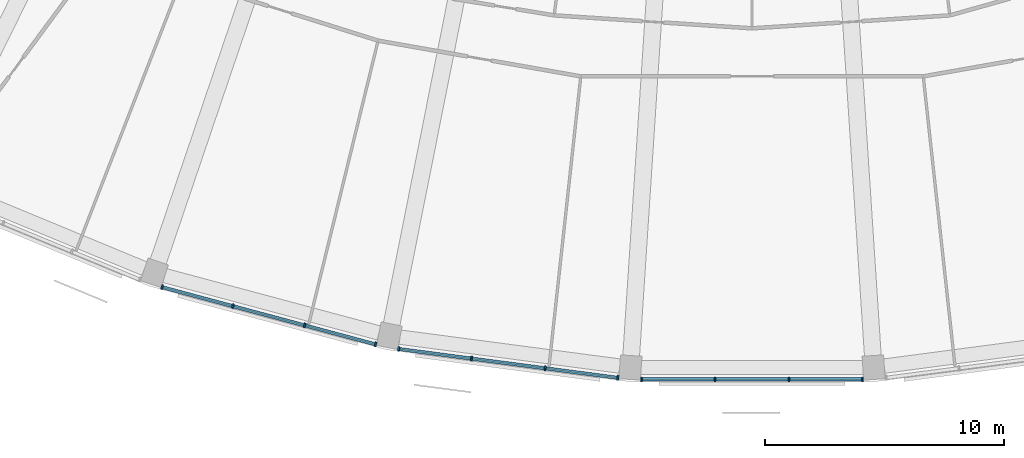
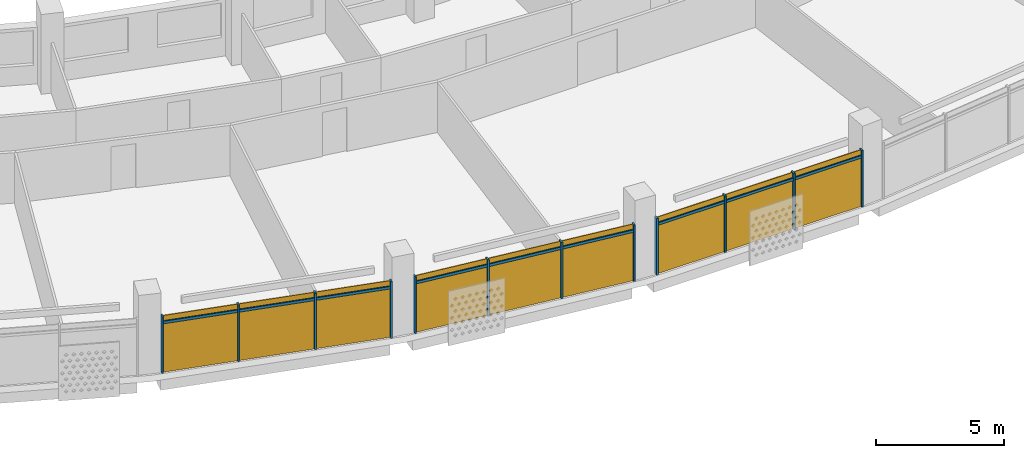
# One storey, part 19 of 29: 21 members, 3 curtain walls.
"""IFC4 building model written with IfcOpenShell, lengths in metres."""

import ifcopenshell
import ifcopenshell.guid

model = None  # the IFC model being written
_history = None  # IfcOwnerHistory: only IFC2X3 demands one
_inside = {}  # id of a spatial element -> (the spatial element, [elements in it])
_under = {}  # id of a project, library or spatial element -> (it, [spatial elements below it])
_declared = {}  # id of a project -> (the project, [libraries it declares])
_typed = {}  # id of a type object -> (the type object, [elements of that type])
_made_of = {}  # id of a material, layer set ... -> (it, [elements and type objects made of it])


def new_model(schema):
    """Start an empty IFC model of exactly this schema.

    Asked for "IFC4X3", IfcOpenShell would pick the latest addendum, in which some entities
    have other attributes; the version numbers below select the first issue.
    IFC2X3 requires an IfcOwnerHistory on every rooted entity: one is made here for all.
    """
    global model, _history
    if schema == "IFC4X3":
        model = ifcopenshell.file(schema_version=(4, 3, 0, 0))
    else:
        model = ifcopenshell.file(schema=schema)
    _inside.clear()
    _under.clear()
    _declared.clear()
    _typed.clear()
    _made_of.clear()
    _history = None
    if model.schema == "IFC2X3":
        org = make("IfcOrganization", Name="unknown")
        user = make(
            "IfcPersonAndOrganization",
            ThePerson=make("IfcPerson", FamilyName="unknown"),
            TheOrganization=org,
        )
        app = make(
            "IfcApplication",
            ApplicationDeveloper=org,
            Version="unknown",
            ApplicationFullName="unknown",
            ApplicationIdentifier="unknown",
        )
        _history = make(
            "IfcOwnerHistory",
            OwningUser=user,
            OwningApplication=app,
            ChangeAction="ADDED",
            CreationDate=0,
        )
    return model


def make(cls, **values):
    """One entity of the class cls with the attributes given. An attribute that is None is left unset."""
    return model.create_entity(
        cls, **{name: value for name, value in values.items() if value is not None}
    )


def rooted(cls, **values):
    """An entity with a GlobalId (a new one), such as an element, a storey or a relation."""
    return make(cls, GlobalId=ifcopenshell.guid.new(), OwnerHistory=_history, **values)


def si_unit(unit_type, name, prefix=None):
    """IfcSIUnit, for example si_unit("LENGTHUNIT", "METRE", prefix="MILLI")."""
    return make("IfcSIUnit", UnitType=unit_type, Prefix=prefix, Name=name)


def assignment(units):
    """IfcUnitAssignment: the units of a project."""
    return None if units is None else make("IfcUnitAssignment", Units=units)


def point(xyz):
    """IfcCartesianPoint."""
    return None if xyz is None else make("IfcCartesianPoint", Coordinates=xyz)


def direction(xyz):
    """IfcDirection."""
    return None if xyz is None else make("IfcDirection", DirectionRatios=xyz)


def frame(location, z_axis=None, x_axis=None):
    """IfcAxis2Placement3D, a coordinate frame: its origin and axes. An axis left out is left unset."""
    return make(
        "IfcAxis2Placement3D",
        Location=point(location),
        Axis=direction(z_axis),
        RefDirection=direction(x_axis),
    )


def frame_2d(location, x_axis=None):
    """IfcAxis2Placement2D, a coordinate frame in the plane: its origin and x axis."""
    return make(
        "IfcAxis2Placement2D", Location=point(location), RefDirection=direction(x_axis)
    )


def origin():
    """The frame at (0, 0, 0) with its axes left unset."""
    return frame((0.0, 0.0, 0.0))


def origin_2d():
    """The frame at (0, 0) in the plane with its x axis left unset."""
    return frame_2d((0.0, 0.0))


def place(relative_to, where):
    """IfcLocalPlacement: puts the frame where relative to a parent placement (None: the world)."""
    return make(
        "IfcLocalPlacement", PlacementRelTo=relative_to, RelativePlacement=where
    )


def context(
    kind, dimensions, precision=None, world=None, true_north=None, identifier=None
):
    """IfcGeometricRepresentationContext, for example the 3D "Model" context."""
    return make(
        "IfcGeometricRepresentationContext",
        ContextIdentifier=identifier,
        ContextType=kind,
        CoordinateSpaceDimension=dimensions,
        Precision=precision,
        WorldCoordinateSystem=world,
        TrueNorth=true_north,
    )


def subcontext(parent, identifier, kind, view, scale=None):
    """IfcGeometricRepresentationSubContext, for example "Body" below "Model"."""
    return make(
        "IfcGeometricRepresentationSubContext",
        ContextIdentifier=identifier,
        ContextType=kind,
        ParentContext=parent,
        TargetScale=scale,
        TargetView=view,
    )


def project(units=None, contexts=None):
    """IfcProject with its units and contexts."""
    return rooted(
        "IfcProject",
        Name="project",
        RepresentationContexts=contexts,
        UnitsInContext=assignment(units),
    )


def spatial(cls, under=None, at=None, **own):
    """A site, building, storey or space (cls), placed at a placement, below another one or the project."""
    s = rooted(cls, ObjectPlacement=at, **own)
    if under is not None:
        _under.setdefault(under.id(), (under, []))[1].append(s)
    return s


def profile(cls, at=None, kind="AREA", **sizes):
    """A parametric profile (cls). Its sizes go by their IFC names, for example OverallWidth=200.0."""
    return make(cls, ProfileType=kind, Position=at, **sizes)


def rectangle(**sizes):
    """IfcRectangleProfileDef."""
    return profile("IfcRectangleProfileDef", **sizes)


def extrude(swept, where, along, depth):
    """IfcExtrudedAreaSolid: the profile swept, set in the frame where, extruded along a direction by depth."""
    return make(
        "IfcExtrudedAreaSolid",
        SweptArea=swept,
        Position=where,
        ExtrudedDirection=direction(along),
        Depth=depth,
    )


def shape(context_of_items, identifier, shape_type, items):
    """IfcShapeRepresentation: the items that make up one representation, for example the "Body"."""
    return make(
        "IfcShapeRepresentation",
        ContextOfItems=context_of_items,
        RepresentationIdentifier=identifier,
        RepresentationType=shape_type,
        Items=items,
    )


def material(Name=None, Category=None):
    """IfcMaterial."""
    return make("IfcMaterial", Name=Name, Category=Category)


def material_profile(
    of_material, cross_section, Name=None, Category=None, Priority=None
):
    """IfcMaterialProfile: a cross section and its material."""
    return make(
        "IfcMaterialProfile",
        Name=Name,
        Material=of_material,
        Profile=cross_section,
        Priority=Priority,
        Category=Category,
    )


def profile_set(profiles, Name=None, composite=None):
    """IfcMaterialProfileSet."""
    return make(
        "IfcMaterialProfileSet",
        Name=Name,
        MaterialProfiles=profiles,
        CompositeProfile=composite,
    )


def made_of(thing, what):
    """Note that an element or type object is made of a material, layer set ...; save() writes the relation."""
    if what is not None:
        _made_of.setdefault(what.id(), (what, []))[1].append(thing)
    return thing


def type_object(cls, material=None, **own):
    """A type object (cls), such as IfcWallType, which elements share."""
    return made_of(rooted(cls, **own), material)


def element(
    cls,
    number,
    at=None,
    inside=None,
    cuts=None,
    type_object=None,
    material=None,
    context=None,
    identifier="Body",
    shape_type=None,
    held_by="IfcProductDefinitionShape",
    body=None,
    shapes=None,
    **own,
):
    """One element of the class cls, such as IfcWall. Its Tag is "e" and its number.

    at: its placement. inside: the storey or other place that contains it. cuts: it is an
    opening in that element (IfcRelVoidsElement). A single representation is given by context,
    identifier, shape_type and body (its items); several are given by shapes. held_by: the class
    of the entity that holds the representations. save() writes the other relations.
    """
    e = rooted(cls, Tag="e%d" % number, ObjectPlacement=at, **own)
    if body is not None:
        shapes = [shape(context, identifier, shape_type, body)]
    if shapes is not None:
        e.Representation = make(held_by, Representations=shapes)
    if inside is not None:
        _inside.setdefault(inside.id(), (inside, []))[1].append(e)
    if cuts is not None:
        rooted(
            "IfcRelVoidsElement", RelatingBuildingElement=cuts, RelatedOpeningElement=e
        )
    if type_object is not None:
        _typed.setdefault(type_object.id(), (type_object, []))[1].append(e)
    return made_of(e, material)


def aggregate(whole, parts):
    """IfcRelAggregates: a whole, such as a stair, and the parts it consists of."""
    return rooted("IfcRelAggregates", RelatingObject=whole, RelatedObjects=parts)


def save(model, path):
    """Write the relations noted so far, then the file.

    IfcRelAggregates (storeys below a building ...), IfcRelContainedInSpatialStructure (elements
    in a storey), IfcRelDefinesByType, IfcRelAssociatesMaterial and IfcRelDeclares: one each for
    every whole, place, type object, material and project.
    """
    for whole, parts in _under.values():
        aggregate(whole, parts)
    for where, things in _inside.values():
        rooted(
            "IfcRelContainedInSpatialStructure",
            RelatedElements=things,
            RelatingStructure=where,
        )
    for kind, things in _typed.values():
        rooted("IfcRelDefinesByType", RelatedObjects=things, RelatingType=kind)
    for what, things in _made_of.values():
        rooted("IfcRelAssociatesMaterial", RelatedObjects=things, RelatingMaterial=what)
    for by, libraries in _declared.values():
        rooted("IfcRelDeclares", RelatingContext=by, RelatedDefinitions=libraries)
    model.write(path)


model = new_model("IFC4")

# Units and contexts
model_context = context("Model", 3, precision=1e-05, world=origin(), true_north=direction((0.0, 1.0)))
body_context = subcontext(model_context, "Body", "Model", "MODEL_VIEW")
ifc_project = project(units=[si_unit("LENGTHUNIT", "METRE"), si_unit("AREAUNIT", "SQUARE_METRE"), si_unit("VOLUMEUNIT", "CUBIC_METRE"), si_unit("PLANEANGLEUNIT", "RADIAN"), si_unit("MASSUNIT", "GRAM", prefix="KILO")], contexts=[model_context])

# Member
ifc_material = material(Name="Aluminium 6063-T6 anodised", Category="aluminium")
ifc_material_profile_1 = material_profile(ifc_material, rectangle(XDim=0.199951171875, YDim=0.070068359375, at=origin_2d()))
ifc_profile_set_1 = profile_set([ifc_material_profile_1], Name="Aluminium 6063-T6 anodised")
member_type_1 = type_object("IfcMemberType", Name="Mullion 70 x 200 aluminium", PredefinedType="MULLION", material=ifc_profile_set_1)
site_placement = place(None, origin())
building_placement = place(site_placement, origin())
storey_placement = place(building_placement, frame((0.0, 0.0, 261.89990234375)))
member_1_placement = place(storey_placement, frame((-24.676025390625, -74.224853515625, 0.0), z_axis=(0.0, 0.0, 1.0), x_axis=(0.258819045103, 0.965925826289, 0.0)))
member_1 = element("IfcMember", 1, at=member_1_placement, type_object=member_type_1, Name="e-cw1-L63-out05/M00", PredefinedType="MULLION", context=body_context, shape_type="SweptSolid", body=[
    extrude(rectangle(XDim=0.199951171875, YDim=0.070068359375, at=origin_2d()), origin(), (0.0, 0.0, 1.0), 2.7001953125),
])

member_2_placement = place(storey_placement, frame((-21.70947265625, -75.019775390625, 0.0), z_axis=(0.0, 0.0, 1.0), x_axis=(0.258819045103, 0.965925826289, 0.0)))
member_2 = element("IfcMember", 2, at=member_2_placement, type_object=member_type_1, Name="e-cw1-L63-out05/M01", PredefinedType="MULLION", context=body_context, shape_type="SweptSolid", body=[
    extrude(rectangle(XDim=0.199951171875, YDim=0.070068359375, at=origin_2d()), origin(), (0.0, 0.0, 1.0), 2.7001953125),
])

member_3_placement = place(storey_placement, frame((-18.708984375, -75.82373046875, 0.0), z_axis=(0.0, 0.0, 1.0), x_axis=(0.258819045103, 0.965925826289, 0.0)))
member_3 = element("IfcMember", 3, at=member_3_placement, type_object=member_type_1, Name="e-cw1-L63-out05/M02", PredefinedType="MULLION", context=body_context, shape_type="SweptSolid", body=[
    extrude(rectangle(XDim=0.199951171875, YDim=0.070068359375, at=origin_2d()), origin(), (0.0, 0.0, 1.0), 2.7001953125),
])

member_4_placement = place(storey_placement, frame((-15.742431640625, -76.618408203125, 0.0), z_axis=(0.0, 0.0, 1.0), x_axis=(0.258819045103, 0.965925826289, 0.0)))
member_4 = element("IfcMember", 4, at=member_4_placement, type_object=member_type_1, Name="e-cw1-L63-out05/M03", PredefinedType="MULLION", context=body_context, shape_type="SweptSolid", body=[
    extrude(rectangle(XDim=0.199951171875, YDim=0.070068359375, at=origin_2d()), origin(), (0.0, 0.0, 1.0), 2.7001953125),
])

member_5_placement = place(storey_placement, frame((-14.776611328125, -76.810546875, 0.0), z_axis=(0.0, 0.0, 1.0), x_axis=(0.13052619222, 0.991444861374, 0.0)))
member_5 = element("IfcMember", 5, at=member_5_placement, type_object=member_type_1, Name="e-cw1-L63-out06/M00", PredefinedType="MULLION", context=body_context, shape_type="SweptSolid", body=[
    extrude(rectangle(XDim=0.199951171875, YDim=0.070068359375, at=origin_2d()), origin(), (0.0, 0.0, 1.0), 2.7001953125),
])

member_6_placement = place(storey_placement, frame((-11.731689453125, -77.21142578125, 0.0), z_axis=(0.0, 0.0, 1.0), x_axis=(0.13052619222, 0.991444861374, 0.0)))
member_6 = element("IfcMember", 6, at=member_6_placement, type_object=member_type_1, Name="e-cw1-L63-out06/M01", PredefinedType="MULLION", context=body_context, shape_type="SweptSolid", body=[
    extrude(rectangle(XDim=0.199951171875, YDim=0.070068359375, at=origin_2d()), origin(), (0.0, 0.0, 1.0), 2.7001953125),
])

member_7_placement = place(storey_placement, frame((-8.65185546875, -77.616943359375, 0.0), z_axis=(0.0, 0.0, 1.0), x_axis=(0.13052619222, 0.991444861374, 0.0)))
member_7 = element("IfcMember", 7, at=member_7_placement, type_object=member_type_1, Name="e-cw1-L63-out06/M02", PredefinedType="MULLION", context=body_context, shape_type="SweptSolid", body=[
    extrude(rectangle(XDim=0.199951171875, YDim=0.070068359375, at=origin_2d()), origin(), (0.0, 0.0, 1.0), 2.7001953125),
])

member_8_placement = place(storey_placement, frame((-5.60693359375, -78.017822265625, 0.0), z_axis=(0.0, 0.0, 1.0), x_axis=(0.13052619222, 0.991444861374, 0.0)))
member_8 = element("IfcMember", 8, at=member_8_placement, type_object=member_type_1, Name="e-cw1-L63-out06/M03", PredefinedType="MULLION", context=body_context, shape_type="SweptSolid", body=[
    extrude(rectangle(XDim=0.199951171875, YDim=0.070068359375, at=origin_2d()), origin(), (0.0, 0.0, 1.0), 2.7001953125),
])

member_9_placement = place(storey_placement, frame((-4.624267578125, -78.082275390625, 0.0), z_axis=(0.0, 0.0, 1.0), x_axis=(0.0, 1.0, 0.0)))
member_9 = element("IfcMember", 9, at=member_9_placement, type_object=member_type_1, Name="e-cw1-L63-out07/M00", PredefinedType="MULLION", context=body_context, shape_type="SweptSolid", body=[
    extrude(rectangle(XDim=0.199951171875, YDim=0.070068359375, at=origin_2d()), origin(), (0.0, 0.0, 1.0), 2.7001953125),
])

member_10_placement = place(storey_placement, frame((-1.55322265625, -78.082275390625, 0.0), z_axis=(0.0, 0.0, 1.0), x_axis=(0.0, 1.0, 0.0)))
member_10 = element("IfcMember", 10, at=member_10_placement, type_object=member_type_1, Name="e-cw1-L63-out07/M01", PredefinedType="MULLION", context=body_context, shape_type="SweptSolid", body=[
    extrude(rectangle(XDim=0.199951171875, YDim=0.070068359375, at=origin_2d()), origin(), (0.0, 0.0, 1.0), 2.7001953125),
])

member_11_placement = place(storey_placement, frame((1.55322265625, -78.082275390625, 0.0), z_axis=(0.0, 0.0, 1.0), x_axis=(0.0, 1.0, 0.0)))
member_11 = element("IfcMember", 11, at=member_11_placement, type_object=member_type_1, Name="e-cw1-L63-out07/M02", PredefinedType="MULLION", context=body_context, shape_type="SweptSolid", body=[
    extrude(rectangle(XDim=0.199951171875, YDim=0.070068359375, at=origin_2d()), origin(), (0.0, 0.0, 1.0), 2.7001953125),
])

member_12_placement = place(storey_placement, frame((4.624267578125, -78.082275390625, 0.0), z_axis=(0.0, 0.0, 1.0), x_axis=(0.0, 1.0, 0.0)))
member_12 = element("IfcMember", 12, at=member_12_placement, type_object=member_type_1, Name="e-cw1-L63-out07/M03", PredefinedType="MULLION", context=body_context, shape_type="SweptSolid", body=[
    extrude(rectangle(XDim=0.199951171875, YDim=0.070068359375, at=origin_2d()), origin(), (0.0, 0.0, 1.0), 2.7001953125),
])

ifc_material_profile_2 = material_profile(ifc_material, rectangle(XDim=0.139892578125, YDim=0.1201171875, at=origin_2d()))
ifc_profile_set_2 = profile_set([ifc_material_profile_2], Name="Aluminium 6063-T6 anodised")
member_type_2 = type_object("IfcMemberType", Name="Transom 120 x 140 aluminium", PredefinedType="USERDEFINED", material=ifc_profile_set_2)
member_13_placement = place(storey_placement, frame((-24.64208984375, -74.23388671875, 2.400146484375), z_axis=(0.965918275034, -0.258847225127, 0.0), x_axis=(0.258847225127, 0.965918275034, 0.0)))
member_13 = element("IfcMember", 13, at=member_13_placement, type_object=member_type_2, Name="e-cw1-L63-out05/T00", ObjectType="TRANSOM", PredefinedType="USERDEFINED", context=body_context, shape_type="SweptSolid", body=[
    extrude(rectangle(XDim=0.139892578125, YDim=0.1201171875, at=origin_2d()), origin(), (0.0, 0.0, 1.0), 3.001220703125),
])

member_14_placement = place(storey_placement, frame((-21.675537109375, -75.02880859375, 2.400146484375), z_axis=(0.965943386189, -0.258753501769, 0.0), x_axis=(0.258753501769, 0.965943386189, 0.0)))
member_14 = element("IfcMember", 14, at=member_14_placement, type_object=member_type_2, Name="e-cw1-L63-out05/T01", ObjectType="TRANSOM", PredefinedType="USERDEFINED", context=body_context, shape_type="SweptSolid", body=[
    extrude(rectangle(XDim=0.139892578125, YDim=0.1201171875, at=origin_2d()), origin(), (0.0, 0.0, 1.0), 3.036376953125),
])

member_15_placement = place(storey_placement, frame((-18.67529296875, -75.832763671875, 2.400146484375), z_axis=(0.965944058071, -0.258750993577, 0.0), x_axis=(0.258750993577, 0.965944058071, 0.0)))
member_15 = element("IfcMember", 15, at=member_15_placement, type_object=member_type_2, Name="e-cw1-L63-out05/T02", ObjectType="TRANSOM", PredefinedType="USERDEFINED", context=body_context, shape_type="SweptSolid", body=[
    extrude(rectangle(XDim=0.139892578125, YDim=0.1201171875, at=origin_2d()), origin(), (0.0, 0.0, 1.0), 3.00146484375),
])

member_16_placement = place(storey_placement, frame((-14.741943359375, -76.815185546875, 2.400146484375), z_axis=(0.991440446253, -0.13055972401, 0.0), x_axis=(0.13055972401, 0.991440446253, 0.0)))
member_16 = element("IfcMember", 16, at=member_16_placement, type_object=member_type_2, Name="e-cw1-L63-out06/T00", ObjectType="TRANSOM", PredefinedType="USERDEFINED", context=body_context, shape_type="SweptSolid", body=[
    extrude(rectangle(XDim=0.139892578125, YDim=0.1201171875, at=origin_2d()), origin(), (0.0, 0.0, 1.0), 3.001220703125),
])

member_17_placement = place(storey_placement, frame((-11.697021484375, -77.216064453125, 2.400146484375), z_axis=(0.991447725786, -0.130504433005, 0.0), x_axis=(0.130504433005, 0.991447725786, 0.0)))
member_17 = element("IfcMember", 17, at=member_17_placement, type_object=member_type_2, Name="e-cw1-L63-out06/T01", ObjectType="TRANSOM", PredefinedType="USERDEFINED", context=body_context, shape_type="SweptSolid", body=[
    extrude(rectangle(XDim=0.139892578125, YDim=0.1201171875, at=origin_2d()), origin(), (0.0, 0.0, 1.0), 3.0361328125),
])

member_18_placement = place(storey_placement, frame((-8.6171875, -77.62158203125, 2.400146484375), z_axis=(0.991450972696, -0.130479763719, 0.0), x_axis=(0.130479763719, 0.991450972696, 0.0)))
member_18 = element("IfcMember", 18, at=member_18_placement, type_object=member_type_2, Name="e-cw1-L63-out06/T02", ObjectType="TRANSOM", PredefinedType="USERDEFINED", context=body_context, shape_type="SweptSolid", body=[
    extrude(rectangle(XDim=0.139892578125, YDim=0.1201171875, at=origin_2d()), origin(), (0.0, 0.0, 1.0), 3.001220703125),
])

member_19_placement = place(storey_placement, frame((-4.58935546875, -78.082275390625, 2.400146484375), z_axis=(1.0, 0.0, 0.0), x_axis=(0.0, 1.0, 0.0)))
member_19 = element("IfcMember", 19, at=member_19_placement, type_object=member_type_2, Name="e-cw1-L63-out07/T00", ObjectType="TRANSOM", PredefinedType="USERDEFINED", context=body_context, shape_type="SweptSolid", body=[
    extrude(rectangle(XDim=0.139892578125, YDim=0.1201171875, at=origin_2d()), origin(), (0.0, 0.0, 1.0), 3.001220703125),
])

member_20_placement = place(storey_placement, frame((-1.51806640625, -78.082275390625, 2.400146484375), z_axis=(1.0, 0.0, 0.0), x_axis=(0.0, 1.0, 0.0)))
member_20 = element("IfcMember", 20, at=member_20_placement, type_object=member_type_2, Name="e-cw1-L63-out07/T01", ObjectType="TRANSOM", PredefinedType="USERDEFINED", context=body_context, shape_type="SweptSolid", body=[
    extrude(rectangle(XDim=0.139892578125, YDim=0.1201171875, at=origin_2d()), origin(), (0.0, 0.0, 1.0), 3.0361328125),
])

member_21_placement = place(storey_placement, frame((1.588134765625, -78.082275390625, 2.400146484375), z_axis=(1.0, 0.0, 0.0), x_axis=(0.0, 1.0, 0.0)))
member_21 = element("IfcMember", 21, at=member_21_placement, type_object=member_type_2, Name="e-cw1-L63-out07/T02", ObjectType="TRANSOM", PredefinedType="USERDEFINED", context=body_context, shape_type="SweptSolid", body=[
    extrude(rectangle(XDim=0.139892578125, YDim=0.1201171875, at=origin_2d()), origin(), (0.0, 0.0, 1.0), 3.001220703125),
])

# Site, building, storey
site = spatial("IfcSite", under=ifc_project, at=site_placement, CompositionType="ELEMENT")
building = spatial("IfcBuilding", under=site, at=building_placement, Name="Qamariyya Broadcast Tower", CompositionType="ELEMENT")
storey = spatial("IfcBuildingStorey", under=building, at=storey_placement, Name="L63", CompositionType="ELEMENT", Elevation=261.89990234375)

# Curtain wall
curtain_wall_type = type_object("IfcCurtainWallType", Name="Unitised curtain wall, anodised aluminium", PredefinedType="NOTDEFINED", material=ifc_material)
curtain_wall_1_placement = place(storey_placement, origin())
curtain_wall_1 = element("IfcCurtainWall", 22, at=curtain_wall_1_placement, inside=storey, type_object=curtain_wall_type, Name="e-cw1-L63-out05", PredefinedType="NOTDEFINED", context=body_context, shape_type="SweptSolid", body=[
    extrude(rectangle(XDim=3.001220703125, YDim=0.031982421875, at=origin_2d()), frame((-23.192626953125, -74.622314453125, 0.0), x_axis=(0.965925949265, -0.258818586151, 0.0)), (0.0, 0.0, 1.0), 2.340087890625),
    extrude(rectangle(XDim=3.001220703125, YDim=0.031982421875, at=origin_2d()), frame((-23.192626953125, -74.622314453125, 2.460205078125), x_axis=(0.965925949265, -0.258818586151, 0.0)), (0.0, 0.0, 1.0), 0.239990234375),
    extrude(rectangle(XDim=3.0361328125, YDim=0.031982421875, at=origin_2d()), frame((-20.208984375, -75.421875, 0.0), x_axis=(0.965925949265, -0.258818586151, 0.0)), (0.0, 0.0, 1.0), 2.340087890625),
    extrude(rectangle(XDim=3.0361328125, YDim=0.031982421875, at=origin_2d()), frame((-20.208984375, -75.421875, 2.460205078125), x_axis=(0.965925949265, -0.258818586151, 0.0)), (0.0, 0.0, 1.0), 0.239990234375),
    extrude(rectangle(XDim=3.001220703125, YDim=0.031982421875, at=origin_2d()), frame((-17.2255859375, -76.22119140625, 0.0), x_axis=(0.965925949265, -0.258818586151, 0.0)), (0.0, 0.0, 1.0), 2.340087890625),
    extrude(rectangle(XDim=3.001220703125, YDim=0.031982421875, at=origin_2d()), frame((-17.2255859375, -76.22119140625, 2.460205078125), x_axis=(0.965925949265, -0.258818586151, 0.0)), (0.0, 0.0, 1.0), 0.239990234375),
])

aggregate(curtain_wall_1, [member_1, member_2, member_3, member_4, member_13, member_14, member_15])

curtain_wall_2_placement = place(storey_placement, origin())
curtain_wall_2 = element("IfcCurtainWall", 23, at=curtain_wall_2_placement, inside=storey, type_object=curtain_wall_type, Name="e-cw1-L63-out06", PredefinedType="NOTDEFINED", context=body_context, shape_type="SweptSolid", body=[
    extrude(rectangle(XDim=3.001220703125, YDim=0.031982421875, at=origin_2d()), frame((-13.254150390625, -77.01123046875, 0.0), x_axis=(0.991445286748, -0.130522961144, 0.0)), (0.0, 0.0, 1.0), 2.340087890625),
    extrude(rectangle(XDim=3.001220703125, YDim=0.031982421875, at=origin_2d()), frame((-13.254150390625, -77.01123046875, 2.460205078125), x_axis=(0.991445286748, -0.130522961144, 0.0)), (0.0, 0.0, 1.0), 0.239990234375),
    extrude(rectangle(XDim=3.0361328125, YDim=0.031982421875, at=origin_2d()), frame((-10.19189453125, -77.414306640625, 0.0), x_axis=(0.991445286748, -0.130522961144, 0.0)), (0.0, 0.0, 1.0), 2.340087890625),
    extrude(rectangle(XDim=3.0361328125, YDim=0.031982421875, at=origin_2d()), frame((-10.19189453125, -77.414306640625, 2.460205078125), x_axis=(0.991445286748, -0.130522961144, 0.0)), (0.0, 0.0, 1.0), 0.239990234375),
    extrude(rectangle(XDim=3.001220703125, YDim=0.031982421875, at=origin_2d()), frame((-7.12939453125, -77.8173828125, 0.0), x_axis=(0.991445286748, -0.130522961144, 0.0)), (0.0, 0.0, 1.0), 2.340087890625),
    extrude(rectangle(XDim=3.001220703125, YDim=0.031982421875, at=origin_2d()), frame((-7.12939453125, -77.8173828125, 2.460205078125), x_axis=(0.991445286748, -0.130522961144, 0.0)), (0.0, 0.0, 1.0), 0.239990234375),
])

aggregate(curtain_wall_2, [member_5, member_6, member_7, member_8, member_16, member_17, member_18])

curtain_wall_3_placement = place(storey_placement, origin())
curtain_wall_3 = element("IfcCurtainWall", 24, at=curtain_wall_3_placement, inside=storey, type_object=curtain_wall_type, Name="e-cw1-L63-out07", PredefinedType="NOTDEFINED", context=body_context, shape_type="SweptSolid", body=[
    extrude(rectangle(XDim=3.001220703125, YDim=0.031982421875, at=origin_2d()), frame((-3.0888671875, -78.082275390625, 0.0), x_axis=(1.0, 0.0, 0.0)), (0.0, 0.0, 1.0), 2.340087890625),
    extrude(rectangle(XDim=3.001220703125, YDim=0.031982421875, at=origin_2d()), frame((-3.0888671875, -78.082275390625, 2.460205078125), x_axis=(1.0, 0.0, 0.0)), (0.0, 0.0, 1.0), 0.239990234375),
    extrude(rectangle(XDim=3.036376953125, YDim=0.031982421875, at=origin_2d()), frame((0.0, -78.082275390625, 0.0), x_axis=(1.0, 0.0, 0.0)), (0.0, 0.0, 1.0), 2.340087890625),
    extrude(rectangle(XDim=3.036376953125, YDim=0.031982421875, at=origin_2d()), frame((0.0, -78.082275390625, 2.460205078125), x_axis=(1.0, 0.0, 0.0)), (0.0, 0.0, 1.0), 0.239990234375),
    extrude(rectangle(XDim=3.001220703125, YDim=0.031982421875, at=origin_2d()), frame((3.0888671875, -78.082275390625, 0.0), x_axis=(1.0, 0.0, 0.0)), (0.0, 0.0, 1.0), 2.340087890625),
    extrude(rectangle(XDim=3.001220703125, YDim=0.031982421875, at=origin_2d()), frame((3.0888671875, -78.082275390625, 2.460205078125), x_axis=(1.0, 0.0, 0.0)), (0.0, 0.0, 1.0), 0.239990234375),
])

aggregate(curtain_wall_3, [member_9, member_10, member_11, member_12, member_19, member_20, member_21])

save(model, "model.ifc")
